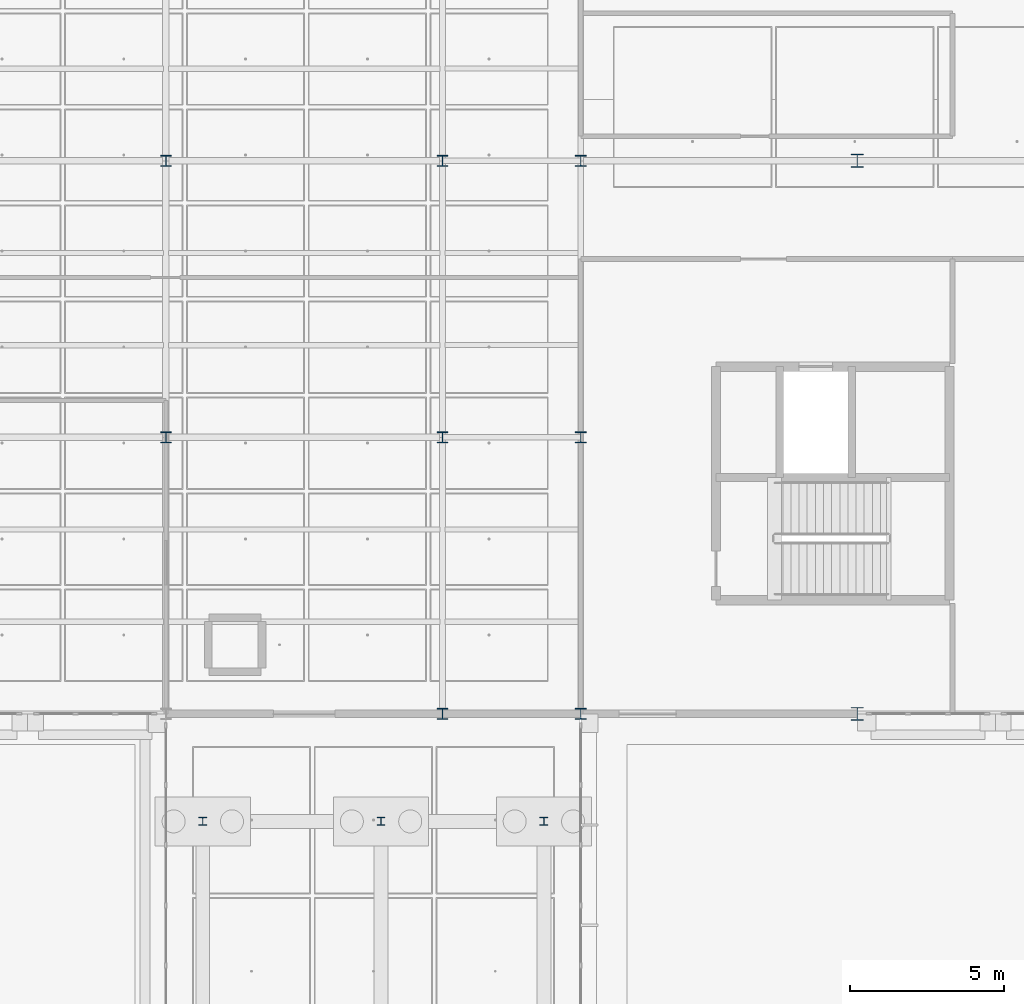
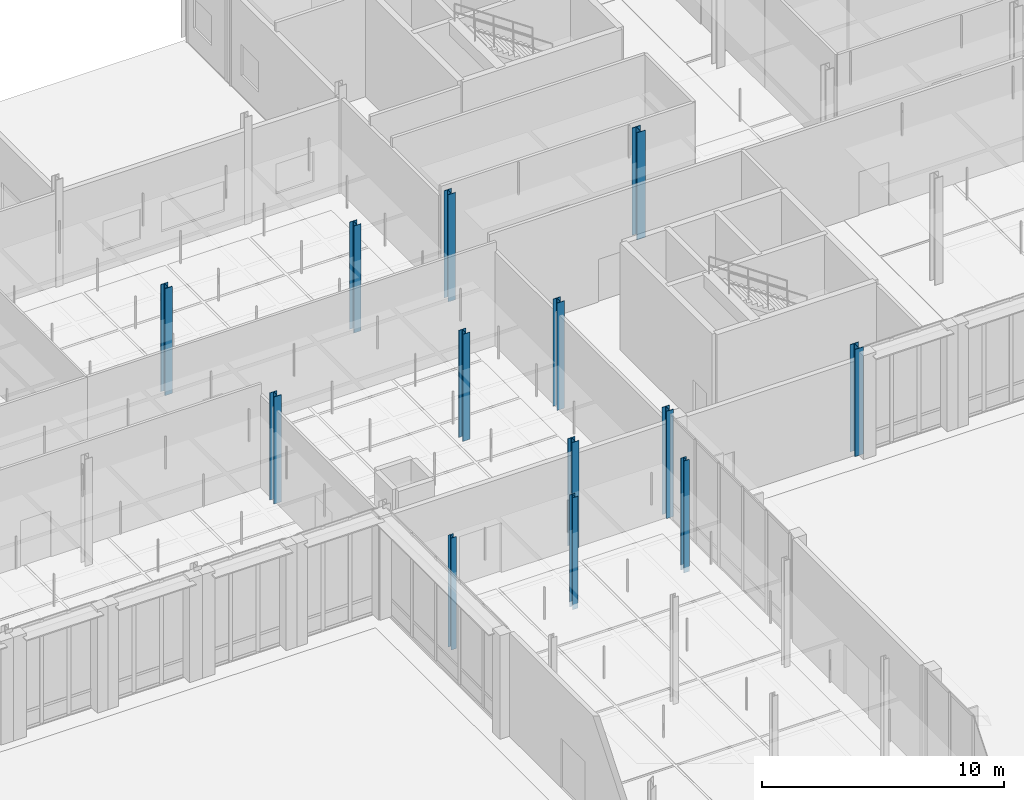
# One storey, part 21 of 180: 13 columns.
"""IFC4 building model written with IfcOpenShell, lengths in metres."""

from ifc_helpers import new_model, si_unit, direction, frame, origin, origin_2d, place, context, subcontext, project, spatial, i_section, extrude, material, material_profile, profile_set, type_object, element, save


model = new_model("IFC4")

# Units and contexts
model_context = context("Model", 3, precision=1e-05, world=origin(), true_north=direction((0.0, 1.0)))
body_context = subcontext(model_context, "Body", "Model", "MODEL_VIEW")
ifc_project = project(units=[si_unit("LENGTHUNIT", "METRE"), si_unit("AREAUNIT", "SQUARE_METRE"), si_unit("VOLUMEUNIT", "CUBIC_METRE"), si_unit("PLANEANGLEUNIT", "RADIAN"), si_unit("MASSUNIT", "GRAM", prefix="KILO"), si_unit("THERMODYNAMICTEMPERATUREUNIT", "KELVIN"), si_unit("POWERUNIT", "WATT")], contexts=[model_context])

# Site, building, storey
site_placement = place(None, origin())
site = spatial("IfcSite", under=ifc_project, at=site_placement, CompositionType="ELEMENT")
building_placement = place(site_placement, origin())
building = spatial("IfcBuilding", under=site, at=building_placement, Name="Tallowbark Science Centre", CompositionType="ELEMENT")
storey_placement = place(building_placement, origin())
storey = spatial("IfcBuildingStorey", under=building, at=storey_placement, Name="L00", CompositionType="ELEMENT", Elevation=0.0)

# Columns
ifc_material = material(Name="Structural Steel Grade 300PLUS (300 MPa)", Category="steel")
ifc_material_profile_1 = material_profile(ifc_material, i_section(OverallWidth=0.256103515625, OverallDepth=0.260009765625, WebThickness=0.010498046875, FlangeThickness=0.017333984375, FilletRadius=0.013916015625, at=origin_2d()), Name="250UC89.5")
ifc_profile_set_1 = profile_set([ifc_material_profile_1], Name="Structural Steel Grade 300PLUS (300 MPa)")
column_type_1 = type_object("IfcColumnType", Name="COL-UC250A", PredefinedType="COLUMN", material=ifc_profile_set_1)
for number, where, z_axis, x_axis, name in (
    (1, (100.199951171875, 68.5, -0.239990234375), (0.0, 0.0, 1.0), (1.0, 0.0, 0.0), "Column LNK-0_3 L00"),
    (2, (106.0, 68.5, -0.239990234375), (0.0, 0.0, 1.0), (1.0, 0.0, 0.0), "Column LNK-1_3 L00"),
    (3, (111.300048828125, 68.5, -0.239990234375), (0.0, 0.0, 1.0), (1.0, 0.0, 0.0), "Column LNK-2_3 L00"),
):
    element("IfcColumn", number, at=place(storey_placement, frame(where, z_axis=z_axis, x_axis=x_axis)), inside=storey, type_object=column_type_1, Name=name, PredefinedType="COLUMN", context=body_context, shape_type="SweptSolid", body=[
        extrude(i_section(OverallWidth=0.256103515625, OverallDepth=0.260009765625, WebThickness=0.010498046875, FlangeThickness=0.017333984375, FilletRadius=0.013916015625, at=origin_2d()), origin(), (0.0, 0.0, 1.0), 5.639892578125),
    ])
ifc_material_profile_2 = material_profile(ifc_material, i_section(OverallWidth=0.35009765625, OverallDepth=0.35888671875, WebThickness=0.01611328125, FlangeThickness=0.02392578125, FilletRadius=0.013916015625, at=origin_2d()), Name="350WC197")
ifc_profile_set_2 = profile_set([ifc_material_profile_2], Name="Structural Steel Grade 300PLUS (300 MPa)")
column_type_2 = type_object("IfcColumnType", Name="COL-WC350", PredefinedType="COLUMN", material=ifc_profile_set_2)
for number, where, z_axis, x_axis, name in (
    (4, (99.0, 81.0, 0.0), (0.0, 0.0, 1.0), (1.0, 0.0, 0.0), "Column LAB-6_1 L00"),
    (5, (99.0, 90.0, 0.0), (0.0, 0.0, 1.0), (1.0, 0.0, 0.0), "Column LAB-6_2 L00"),
    (6, (108.0, 72.0, 0.0), (0.0, 0.0, 1.0), (1.0, 0.0, 0.0), "Column LAB-7_0 L00"),
    (7, (108.0, 81.0, 0.0), (0.0, 0.0, 1.0), (1.0, 0.0, 0.0), "Column LAB-7_1 L00"),
    (8, (108.0, 90.0, 0.0), (0.0, 0.0, 1.0), (1.0, 0.0, 0.0), "Column LAB-7_2 L00"),
    (9, (112.5, 72.0, 0.0), (0.0, 0.0, 1.0), (1.0, 0.0, 0.0), "Column LAB-8_0 L00"),
    (10, (112.5, 81.0, 0.0), (0.0, 0.0, 1.0), (1.0, 0.0, 0.0), "Column LAB-8_1 L00"),
    (11, (112.5, 90.0, 0.0), (0.0, 0.0, 1.0), (1.0, 0.0, 0.0), "Column LAB-8_2 L00"),
):
    element("IfcColumn", number, at=place(storey_placement, frame(where, z_axis=z_axis, x_axis=x_axis)), inside=storey, type_object=column_type_2, Name=name, PredefinedType="COLUMN", context=body_context, shape_type="SweptSolid", body=[
        extrude(i_section(OverallWidth=0.35009765625, OverallDepth=0.35888671875, WebThickness=0.01611328125, FlangeThickness=0.02392578125, FilletRadius=0.013916015625, at=origin_2d()), origin(), (0.0, 0.0, 1.0), 5.39990234375),
    ])
ifc_material_profile_3 = material_profile(ifc_material, i_section(OverallWidth=0.39990234375, OverallDepth=0.427978515625, WebThickness=0.02001953125, FlangeThickness=0.028076171875, FilletRadius=0.01611328125, at=origin_2d()), Name="400WC270")
ifc_profile_set_3 = profile_set([ifc_material_profile_3], Name="Structural Steel Grade 300PLUS (300 MPa)")
column_type_3 = type_object("IfcColumnType", Name="COL-WC400", PredefinedType="COLUMN", material=ifc_profile_set_3)
for number, where, z_axis, x_axis, name in (
    (12, (121.5, 72.0, 0.0), (0.0, 0.0, 1.0), (1.0, 0.0, 0.0), "Column OBS-1_0 L00"),
    (13, (121.5, 90.0, 0.0), (0.0, 0.0, 1.0), (1.0, 0.0, 0.0), "Column OBS-1_2 L00"),
):
    element("IfcColumn", number, at=place(storey_placement, frame(where, z_axis=z_axis, x_axis=x_axis)), inside=storey, type_object=column_type_3, Name=name, PredefinedType="COLUMN", context=body_context, shape_type="SweptSolid", body=[
        extrude(i_section(OverallWidth=0.39990234375, OverallDepth=0.427978515625, WebThickness=0.02001953125, FlangeThickness=0.028076171875, FilletRadius=0.01611328125, at=origin_2d()), origin(), (0.0, 0.0, 1.0), 5.39990234375),
    ])

save(model, "model.ifc")
